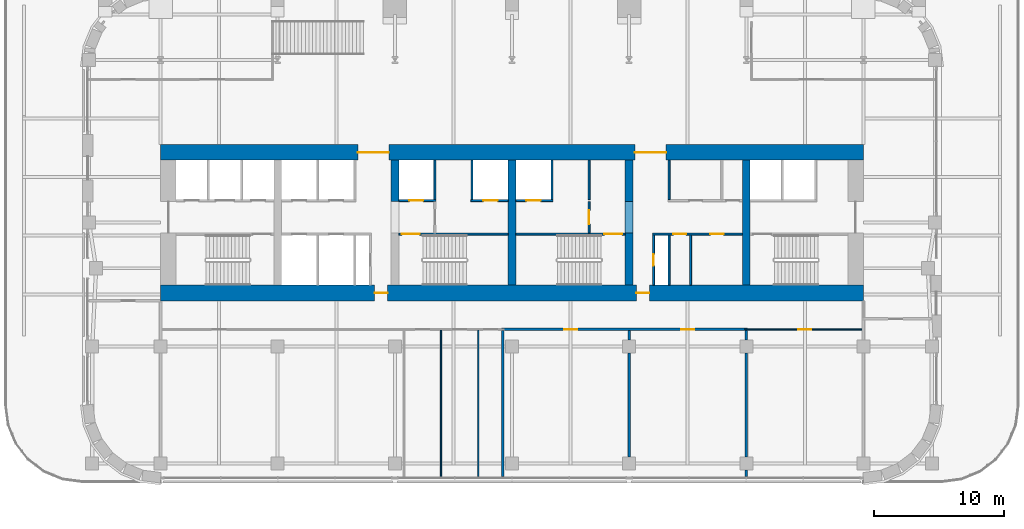
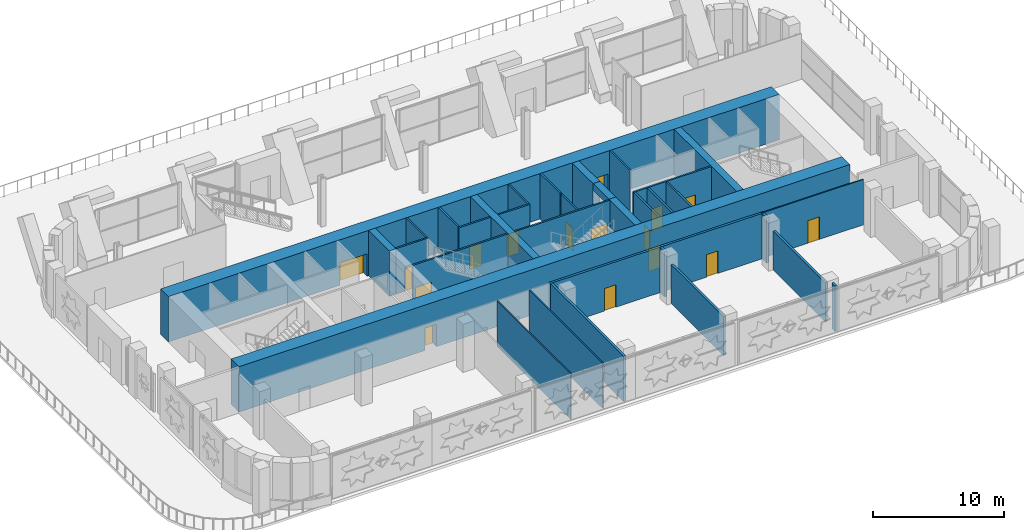
# One storey, part 15 of 26: 33 walls, 16 doors, 16 openings.
"""IFC4 building model written with IfcOpenShell, lengths in metres."""

from ifc_helpers import new_model, si_unit, direction, frame, frame_2d, origin, place, context, subcontext, project, spatial, rectangle, extrude, material, layer, layer_set, type_object, element, fill, save


model = new_model("IFC4")

# Units and contexts
model_context = context("Model", 3, precision=1e-05, world=origin(), true_north=direction((0.0, 1.0)))
body_context = subcontext(model_context, "Body", "Model", "MODEL_VIEW")
ifc_project = project(units=[si_unit("LENGTHUNIT", "METRE"), si_unit("AREAUNIT", "SQUARE_METRE"), si_unit("VOLUMEUNIT", "CUBIC_METRE"), si_unit("PLANEANGLEUNIT", "RADIAN"), si_unit("MASSUNIT", "GRAM", prefix="KILO")], contexts=[model_context])

# Site, building, storey
site_placement = place(None, origin())
site = spatial("IfcSite", under=ifc_project, at=site_placement, CompositionType="ELEMENT")
building_placement = place(site_placement, origin())
building = spatial("IfcBuilding", under=site, at=building_placement, Name="Zellij Exchange Tower", CompositionType="ELEMENT")
storey_placement = place(building_placement, frame((0.0, 0.0, 39.0)))
storey = spatial("IfcBuildingStorey", under=building, at=storey_placement, Name="L06", CompositionType="ELEMENT", Elevation=39.0)

# Walls
ifc_material_1 = material(Name="Concrete C70/85", Category="concrete")
ifc_layer_1 = layer(ifc_material_1, 0.60009765625)
ifc_layer_set_1 = layer_set([ifc_layer_1], Name="Concrete C70/85")
wall_type_1 = type_object("IfcWallType", Name="CORE-CW 600 C70/85", PredefinedType="SHEAR", material=ifc_layer_set_1)
wall_1_placement = place(storey_placement, frame((-9.0, -6.375, 0.0), z_axis=(0.0, 0.0, 1.0), x_axis=(0.0, 1.0, 0.0)))
element("IfcWall", 1, at=wall_1_placement, inside=storey, type_object=wall_type_1, Name="Core cross wall pier x -9 b L06", PredefinedType="SHEAR", context=body_context, shape_type="SweptSolid", body=[
    extrude(rectangle(XDim=3.175048828125, YDim=0.60009765625, at=frame_2d((1.58740234375, 0.0))), origin(), (0.0, 0.0, 1.0), 4.25),
])
wall_2_placement = place(storey_placement, frame((0.0, -12.800048828125, 0.0), z_axis=(0.0, 0.0, 1.0), x_axis=(0.0, 1.0, 0.0)))
element("IfcWall", 2, at=wall_2_placement, inside=storey, type_object=wall_type_1, Name="Core cross wall x 0 L06", PredefinedType="SHEAR", context=body_context, shape_type="SweptSolid", body=[
    extrude(rectangle(XDim=9.60009765625, YDim=0.60009765625, at=frame_2d((4.800048828125, 0.0))), origin(), (0.0, 0.0, 1.0), 4.25),
])
wall_3_placement = place(storey_placement, frame((9.0, -12.800048828125, 0.0), z_axis=(0.0, 0.0, 1.0), x_axis=(0.0, 1.0, 0.0)))
element("IfcWall", 3, at=wall_3_placement, inside=storey, type_object=wall_type_1, Name="Core cross wall pier x 9 a L06", PredefinedType="SHEAR", context=body_context, shape_type="SweptSolid", body=[
    extrude(rectangle(XDim=4.0, YDim=0.60009765625, at=frame_2d((2.0, 0.0))), origin(), (0.0, 0.0, 1.0), 4.25),
])
wall_4_placement = place(storey_placement, frame((9.0, -6.375, 0.0), z_axis=(0.0, 0.0, 1.0), x_axis=(0.0, 1.0, 0.0)))
element("IfcWall", 4, at=wall_4_placement, inside=storey, type_object=wall_type_1, Name="Core cross wall pier x 9 b L06", PredefinedType="SHEAR", context=body_context, shape_type="SweptSolid", body=[
    extrude(rectangle(XDim=3.175048828125, YDim=0.60009765625, at=frame_2d((1.58740234375, 0.0))), origin(), (0.0, 0.0, 1.0), 4.25),
])
wall_5_placement = place(storey_placement, frame((9.0, -8.800048828125, 3.60009765625), z_axis=(0.0, 0.0, 1.0), x_axis=(0.0, 1.0, 0.0)))
element("IfcWall", 5, at=wall_5_placement, inside=storey, type_object=wall_type_1, Name="Core cross wall over opening x 9 L06", PredefinedType="SHEAR", context=body_context, shape_type="SweptSolid", body=[
    extrude(rectangle(XDim=2.425048828125, YDim=0.60009765625, at=frame_2d((1.21240234375, 0.0))), origin(), (0.0, 0.0, 1.0), 0.64990234375),
])
wall_6_placement = place(storey_placement, frame((18.0, -12.800048828125, 0.0), z_axis=(0.0, 0.0, 1.0), x_axis=(0.0, 1.0, 0.0)))
element("IfcWall", 6, at=wall_6_placement, inside=storey, type_object=wall_type_1, Name="Core cross wall x 18 L06", PredefinedType="SHEAR", context=body_context, shape_type="SweptSolid", body=[
    extrude(rectangle(XDim=9.60009765625, YDim=0.60009765625, at=frame_2d((4.800048828125, 0.0))), origin(), (0.0, 0.0, 1.0), 4.25),
])

# Wall, opening, door
ifc_material_2 = material(Name="Gypsum shaft wall system")
ifc_layer_2 = layer(ifc_material_2, 0.14990234375)
ifc_layer_set_2 = layer_set([ifc_layer_2], Name="Gypsum shaft wall system")
wall_type_2 = type_object("IfcWallType", Name="CORE-PW 150 Firefighting lobby wall", PredefinedType="PARTITIONING", material=ifc_layer_set_2)
wall_7_placement = place(storey_placement, frame((5.925048828125, -8.800048828125, 0.0), z_axis=(0.0, 0.0, 1.0), x_axis=(0.0, 1.0, 0.0)))
wall_7 = element("IfcWall", 7, at=wall_7_placement, inside=storey, type_object=wall_type_2, Name="Firefighting lobby wall L06", PredefinedType="PARTITIONING", context=body_context, shape_type="SweptSolid", body=[
    extrude(rectangle(XDim=2.425048828125, YDim=0.14990234375, at=frame_2d((1.21240234375, 0.0))), origin(), (0.0, 0.0, 1.0), 4.25),
])
opening_1_placement = place(wall_7_placement, frame((0.662109375, 0.0, 0.0)))
opening_1 = element("IfcOpeningElement", 8, at=opening_1_placement, cuts=wall_7, Name="Opening CA-06.18", PredefinedType="OPENING", context=body_context, shape_type="SweptSolid", body=[
    extrude(rectangle(XDim=1.10009765625, YDim=2.10009765625, at=frame_2d((0.550048828125, 1.050048828125))), frame((0.0, 0.0869140625, 0.0), z_axis=(0.0, -1.0, 0.0), x_axis=(1.0, 0.0, 0.0)), (0.0, 0.0, 1.0), 0.173828125),
])
ifc_material_3 = material(Name="Hollow metal fire door")
door_type_1 = type_object("IfcDoorType", Name="CORE-D F Firefighting lobby door 1100x2100 1 HR", OperationType="NOTDEFINED", PredefinedType="DOOR", material=ifc_material_3)
door_1_placement = place(opening_1_placement, origin())
door_1 = element("IfcDoor", 9, at=door_1_placement, inside=storey, type_object=door_type_1, Name="Firefighting lobby door CA-06.18", OperationType="SINGLE_SWING_RIGHT", OverallHeight=2.10009765625, OverallWidth=1.10009765625, PredefinedType="DOOR", context=body_context, shape_type="SweptSolid", body=[
    extrude(rectangle(XDim=1.10009765625, YDim=2.10009765625, at=frame_2d((0.550048828125, 1.050048828125))), frame((0.0, 0.02490234375, 0.0), z_axis=(0.0, -1.0, 0.0), x_axis=(1.0, 0.0, 0.0)), (0.0, 0.0, 1.0), 0.050048828125),
])
fill(opening_1, door_1)

# Walls
ifc_material_4 = material(Name="Gypsum board partition")
ifc_layer_3 = layer(ifc_material_4, 0.14990234375)
ifc_layer_set_3 = layer_set([ifc_layer_3], Name="Gypsum board partition")
wall_type_3 = type_object("IfcWallType", Name="CORE-PW 150 Lift lobby wall", PredefinedType="PARTITIONING", material=ifc_layer_set_3)
for number, where, z_axis, x_axis, name in (
    (10, (5.925048828125, -6.22509765625, 0.0), (0.0, 0.0, 1.0), (0.0, 1.0, 0.0), "Lift lobby wall L06"),
    (11, (12.074951171875, -6.22509765625, 0.0), (0.0, 0.0, 1.0), (0.0, 1.0, 0.0), "Lift lobby wall L06"),
):
    element("IfcWall", number, at=place(storey_placement, frame(where, z_axis=z_axis, x_axis=x_axis)), inside=storey, type_object=wall_type_3, Name=name, PredefinedType="PARTITIONING", context=body_context, shape_type="SweptSolid", body=[
        extrude(rectangle(XDim=3.025146484375, YDim=0.14990234375, at=frame_2d((1.5126953125, 0.0))), origin(), (0.0, 0.0, 1.0), 4.25),
    ])

# Wall, opening, door
wall_8_placement = place(storey_placement, frame((10.875, -12.800048828125, 0.0), z_axis=(0.0, 0.0, 1.0), x_axis=(0.0, 1.0, 0.0)))
wall_8 = element("IfcWall", 12, at=wall_8_placement, inside=storey, type_object=wall_type_3, Name="Lift lobby wall L06", PredefinedType="PARTITIONING", context=body_context, shape_type="SweptSolid", body=[
    extrude(rectangle(XDim=3.85009765625, YDim=0.14990234375, at=frame_2d((1.925048828125, 0.0))), origin(), (0.0, 0.0, 1.0), 4.25),
])
opening_2_placement = place(wall_8_placement, frame((1.47509765625, 0.0, 0.0)))
opening_2 = element("IfcOpeningElement", 13, at=opening_2_placement, cuts=wall_8, Name="Opening CA-06.22", PredefinedType="OPENING", context=body_context, shape_type="SweptSolid", body=[
    extrude(rectangle(XDim=0.89990234375, YDim=2.10009765625, at=frame_2d((0.449951171875, 1.050048828125))), frame((0.0, 0.0869140625, 0.0), z_axis=(0.0, -1.0, 0.0), x_axis=(1.0, 0.0, 0.0)), (0.0, 0.0, 1.0), 0.173828125),
])
door_type_2 = type_object("IfcDoorType", Name="CORE-D RD Riser door 900x2100 1.5 HR", OperationType="NOTDEFINED", PredefinedType="DOOR", material=ifc_material_3)
door_2_placement = place(opening_2_placement, origin())
door_2 = element("IfcDoor", 14, at=door_2_placement, inside=storey, type_object=door_type_2, Name="Riser door CA-06.22", OperationType="SINGLE_SWING_LEFT", OverallHeight=2.10009765625, OverallWidth=0.89990234375, PredefinedType="DOOR", context=body_context, shape_type="SweptSolid", body=[
    extrude(rectangle(XDim=0.89990234375, YDim=2.10009765625, at=frame_2d((0.449951171875, 1.050048828125))), frame((0.0, 0.02490234375, 0.0), z_axis=(0.0, -1.0, 0.0), x_axis=(1.0, 0.0, 0.0)), (0.0, 0.0, 1.0), 0.050048828125),
])
fill(opening_2, door_2)

# Walls
for number, where, z_axis, x_axis, name in (
    (15, (12.074951171875, -12.800048828125, 0.0), (0.0, 0.0, 1.0), (0.0, 1.0, 0.0), "Lift lobby wall L06"),
    (16, (13.72509765625, -12.800048828125, 0.0), (0.0, 0.0, 1.0), (0.0, 1.0, 0.0), "Lift lobby wall L06"),
):
    element("IfcWall", number, at=place(storey_placement, frame(where, z_axis=z_axis, x_axis=x_axis)), inside=storey, type_object=wall_type_3, Name=name, PredefinedType="PARTITIONING", context=body_context, shape_type="SweptSolid", body=[
        extrude(rectangle(XDim=3.85009765625, YDim=0.14990234375, at=frame_2d((1.925048828125, 0.0))), origin(), (0.0, 0.0, 1.0), 4.25),
    ])

# Wall, openings, doors
wall_9_placement = place(storey_placement, frame((10.800048828125, -8.875, 0.0), z_axis=(0.0, 0.0, 1.0), x_axis=(1.0, 0.0, 0.0)))
wall_9 = element("IfcWall", 17, at=wall_9_placement, inside=storey, type_object=wall_type_3, Name="Lift lobby wall L06", PredefinedType="PARTITIONING", context=body_context, shape_type="SweptSolid", body=[
    extrude(rectangle(XDim=6.89990234375, YDim=0.14990234375, at=frame_2d((3.449951171875, 0.0))), origin(), (0.0, 0.0, 1.0), 4.25),
])
opening_3_placement = place(wall_9_placement, frame((1.60009765625, 0.0, 0.0)))
opening_3 = element("IfcOpeningElement", 18, at=opening_3_placement, cuts=wall_9, Name="Opening CA-06.23", PredefinedType="OPENING", context=body_context, shape_type="SweptSolid", body=[
    extrude(rectangle(XDim=1.0, YDim=2.10009765625, at=frame_2d((0.5, 1.050048828125))), frame((0.0, 0.0869140625, 0.0), z_axis=(0.0, -1.0, 0.0), x_axis=(1.0, 0.0, 0.0)), (0.0, 0.0, 1.0), 0.173828125),
])
opening_4_placement = place(wall_9_placement, frame((4.449951171875, 0.0, 0.0)))
opening_4 = element("IfcOpeningElement", 19, at=opening_4_placement, cuts=wall_9, Name="Opening CA-06.25", PredefinedType="OPENING", context=body_context, shape_type="SweptSolid", body=[
    extrude(rectangle(XDim=1.0, YDim=2.10009765625, at=frame_2d((0.5, 1.050048828125))), frame((0.0, 0.0869140625, 0.0), z_axis=(0.0, -1.0, 0.0), x_axis=(1.0, 0.0, 0.0)), (0.0, 0.0, 1.0), 0.173828125),
])
door_type_3 = type_object("IfcDoorType", Name="CORE-D CD Core room door 1000x2100 1 HR", OperationType="NOTDEFINED", PredefinedType="DOOR", material=ifc_material_3)
door_3_placement = place(opening_3_placement, origin())
door_3 = element("IfcDoor", 20, at=door_3_placement, inside=storey, type_object=door_type_3, Name="Core room door CA-06.23", OperationType="SINGLE_SWING_RIGHT", OverallHeight=2.10009765625, OverallWidth=1.0, PredefinedType="DOOR", context=body_context, shape_type="SweptSolid", body=[
    extrude(rectangle(XDim=1.0, YDim=2.10009765625, at=frame_2d((0.5, 1.050048828125))), frame((0.0, 0.02490234375, 0.0), z_axis=(0.0, -1.0, 0.0), x_axis=(1.0, 0.0, 0.0)), (0.0, 0.0, 1.0), 0.050048828125),
])
fill(opening_3, door_3)
door_4_placement = place(opening_4_placement, origin())
door_4 = element("IfcDoor", 21, at=door_4_placement, inside=storey, type_object=door_type_3, Name="Core room door CA-06.25", OperationType="SINGLE_SWING_LEFT", OverallHeight=2.10009765625, OverallWidth=1.0, PredefinedType="DOOR", context=body_context, shape_type="SweptSolid", body=[
    extrude(rectangle(XDim=1.0, YDim=2.10009765625, at=frame_2d((0.5, 1.050048828125))), frame((0.0, 0.02490234375, 0.0), z_axis=(0.0, -1.0, 0.0), x_axis=(1.0, 0.0, 0.0)), (0.0, 0.0, 1.0), 0.050048828125),
])
fill(opening_4, door_4)

# Walls
ifc_layer_4 = layer(ifc_material_2, 0.14990234375)
ifc_layer_set_4 = layer_set([ifc_layer_4], Name="Gypsum shaft wall system")
wall_type_4 = type_object("IfcWallType", Name="CORE-PW 150 Lift shaft wall", PredefinedType="PARTITIONING", material=ifc_layer_set_4)
for number, where, z_axis, x_axis, name in (
    (22, (-3.074951171875, -6.22509765625, 0.0), (0.0, 0.0, 1.0), (0.0, 1.0, 0.0), "Lift shaft wall L06"),
    (23, (-5.925048828125, -6.22509765625, 0.0), (0.0, 0.0, 1.0), (0.0, 1.0, 0.0), "Lift shaft wall L06"),
    (24, (3.074951171875, -6.22509765625, 0.0), (0.0, 0.0, 1.0), (0.0, 1.0, 0.0), "Lift shaft wall L06"),
):
    element("IfcWall", number, at=place(storey_placement, frame(where, z_axis=z_axis, x_axis=x_axis)), inside=storey, type_object=wall_type_4, Name=name, PredefinedType="PARTITIONING", context=body_context, shape_type="SweptSolid", body=[
        extrude(rectangle(XDim=3.025146484375, YDim=0.14990234375, at=frame_2d((1.5126953125, 0.0))), origin(), (0.0, 0.0, 1.0), 4.25),
    ])

# Wall, opening, door
wall_10_placement = place(storey_placement, frame((-8.699951171875, -6.300048828125, 0.0), z_axis=(0.0, 0.0, 1.0), x_axis=(1.0, 0.0, 0.0)))
wall_10 = element("IfcWall", 25, at=wall_10_placement, inside=storey, type_object=wall_type_4, Name="Lift shaft wall L06", PredefinedType="PARTITIONING", context=body_context, shape_type="SweptSolid", body=[
    extrude(rectangle(XDim=2.849853515625, YDim=0.14990234375, at=frame_2d((1.4248046875, 0.0))), origin(), (0.0, 0.0, 1.0), 4.25),
])
opening_5_placement = place(wall_10_placement, frame((0.800048828125, 0.0, 0.0)))
opening_5 = element("IfcOpeningElement", 26, at=opening_5_placement, cuts=wall_10, Name="Opening CA-06.14", PredefinedType="OPENING", context=body_context, shape_type="SweptSolid", body=[
    extrude(rectangle(XDim=1.10009765625, YDim=2.10009765625, at=frame_2d((0.550048828125, 1.050048828125))), frame((0.0, 0.0869140625, 0.0), z_axis=(0.0, -1.0, 0.0), x_axis=(1.0, 0.0, 0.0)), (0.0, 0.0, 1.0), 0.173828125),
])
door_type_4 = type_object("IfcDoorType", Name="CORE-D LD Lift landing door 1100x2100 1.5 HR", OperationType="NOTDEFINED", PredefinedType="DOOR", material=ifc_material_3)
door_5_placement = place(opening_5_placement, origin())
door_5 = element("IfcDoor", 27, at=door_5_placement, inside=storey, type_object=door_type_4, Name="Lift landing door CA-06.14", OperationType="SLIDING_TO_RIGHT", OverallHeight=2.10009765625, OverallWidth=1.10009765625, PredefinedType="DOOR", context=body_context, shape_type="SweptSolid", body=[
    extrude(rectangle(XDim=1.10009765625, YDim=2.10009765625, at=frame_2d((0.550048828125, 1.050048828125))), frame((0.0, 0.02490234375, 0.0), z_axis=(0.0, -1.0, 0.0), x_axis=(1.0, 0.0, 0.0)), (0.0, 0.0, 1.0), 0.050048828125),
])
fill(opening_5, door_5)

wall_11_placement = place(storey_placement, frame((-3.14990234375, -6.300048828125, 0.0), z_axis=(0.0, 0.0, 1.0), x_axis=(1.0, 0.0, 0.0)))
wall_11 = element("IfcWall", 28, at=wall_11_placement, inside=storey, type_object=wall_type_4, Name="Lift shaft wall L06", PredefinedType="PARTITIONING", context=body_context, shape_type="SweptSolid", body=[
    extrude(rectangle(XDim=2.849853515625, YDim=0.14990234375, at=frame_2d((1.4248046875, 0.0))), origin(), (0.0, 0.0, 1.0), 4.25),
])
opening_6_placement = place(wall_11_placement, frame((0.949951171875, 0.0, 0.0)))
opening_6 = element("IfcOpeningElement", 29, at=opening_6_placement, cuts=wall_11, Name="Opening CA-06.16", PredefinedType="OPENING", context=body_context, shape_type="SweptSolid", body=[
    extrude(rectangle(XDim=1.10009765625, YDim=2.10009765625, at=frame_2d((0.550048828125, 1.050048828125))), frame((0.0, 0.0869140625, 0.0), z_axis=(0.0, -1.0, 0.0), x_axis=(1.0, 0.0, 0.0)), (0.0, 0.0, 1.0), 0.173828125),
])
door_6_placement = place(opening_6_placement, origin())
door_6 = element("IfcDoor", 30, at=door_6_placement, inside=storey, type_object=door_type_4, Name="Lift landing door CA-06.16", OperationType="SLIDING_TO_RIGHT", OverallHeight=2.10009765625, OverallWidth=1.10009765625, PredefinedType="DOOR", context=body_context, shape_type="SweptSolid", body=[
    extrude(rectangle(XDim=1.10009765625, YDim=2.10009765625, at=frame_2d((0.550048828125, 1.050048828125))), frame((0.0, 0.02490234375, 0.0), z_axis=(0.0, -1.0, 0.0), x_axis=(1.0, 0.0, 0.0)), (0.0, 0.0, 1.0), 0.050048828125),
])
fill(opening_6, door_6)

wall_12_placement = place(storey_placement, frame((0.300048828125, -6.300048828125, 0.0), z_axis=(0.0, 0.0, 1.0), x_axis=(1.0, 0.0, 0.0)))
wall_12 = element("IfcWall", 31, at=wall_12_placement, inside=storey, type_object=wall_type_4, Name="Lift shaft wall L06", PredefinedType="PARTITIONING", context=body_context, shape_type="SweptSolid", body=[
    extrude(rectangle(XDim=2.849853515625, YDim=0.14990234375, at=frame_2d((1.4248046875, 0.0))), origin(), (0.0, 0.0, 1.0), 4.25),
])
opening_7_placement = place(wall_12_placement, frame((0.800048828125, 0.0, 0.0)))
opening_7 = element("IfcOpeningElement", 32, at=opening_7_placement, cuts=wall_12, Name="Opening CA-06.17", PredefinedType="OPENING", context=body_context, shape_type="SweptSolid", body=[
    extrude(rectangle(XDim=1.10009765625, YDim=2.10009765625, at=frame_2d((0.550048828125, 1.050048828125))), frame((0.0, 0.0869140625, 0.0), z_axis=(0.0, -1.0, 0.0), x_axis=(1.0, 0.0, 0.0)), (0.0, 0.0, 1.0), 0.173828125),
])
door_7_placement = place(opening_7_placement, origin())
door_7 = element("IfcDoor", 33, at=door_7_placement, inside=storey, type_object=door_type_4, Name="Lift landing door CA-06.17", OperationType="SLIDING_TO_LEFT", OverallHeight=2.10009765625, OverallWidth=1.10009765625, PredefinedType="DOOR", context=body_context, shape_type="SweptSolid", body=[
    extrude(rectangle(XDim=1.10009765625, YDim=2.10009765625, at=frame_2d((0.550048828125, 1.050048828125))), frame((0.0, 0.02490234375, 0.0), z_axis=(0.0, -1.0, 0.0), x_axis=(1.0, 0.0, 0.0)), (0.0, 0.0, 1.0), 0.050048828125),
])
fill(opening_7, door_7)

# Wall, openings, doors
ifc_layer_5 = layer(ifc_material_1, 1.199951171875)
ifc_layer_set_5 = layer_set([ifc_layer_5], Name="Concrete C70/85")
wall_type_5 = type_object("IfcWallType", Name="CORE-SW 1200 C70/85", PredefinedType="SHEAR", material=ifc_layer_set_5)
wall_13_placement = place(storey_placement, frame((-27.0, -2.60009765625, 0.0), z_axis=(0.0, 0.0, 1.0), x_axis=(1.0, 0.0, 0.0)))
wall_13 = element("IfcWall", 34, at=wall_13_placement, inside=storey, type_object=wall_type_5, Name="Core shear wall front L06", PredefinedType="SHEAR", context=body_context, shape_type="SweptSolid", body=[
    extrude(rectangle(XDim=54.0, YDim=1.199951171875, at=frame_2d((27.0, 0.0))), origin(), (0.0, 0.0, 1.0), 4.25),
])
opening_8_placement = place(wall_13_placement, frame((15.14990234375, 0.0, 0.0)))
opening_8 = element("IfcOpeningElement", 35, at=opening_8_placement, cuts=wall_13, Name="Opening CA-06.11", PredefinedType="OPENING", context=body_context, shape_type="SweptSolid", body=[
    extrude(rectangle(XDim=2.39990234375, YDim=2.10009765625, at=frame_2d((1.199951171875, 1.050048828125))), frame((0.0, 0.61181640625, 0.0), z_axis=(0.0, -1.0, 0.0), x_axis=(1.0, 0.0, 0.0)), (0.0, 0.0, 1.0), 1.223876953125),
])
opening_9_placement = place(wall_13_placement, frame((36.449951171875, 0.0, 0.0)))
opening_9 = element("IfcOpeningElement", 36, at=opening_9_placement, cuts=wall_13, Name="Opening CA-06.21", PredefinedType="OPENING", context=body_context, shape_type="SweptSolid", body=[
    extrude(rectangle(XDim=2.39990234375, YDim=2.10009765625, at=frame_2d((1.199951171875, 1.050048828125))), frame((0.0, 0.61181640625, 0.0), z_axis=(0.0, -1.0, 0.0), x_axis=(1.0, 0.0, 0.0)), (0.0, 0.0, 1.0), 1.223876953125),
])
door_type_5 = type_object("IfcDoorType", Name="CORE-D CE Core entrance door 2400x2100 20 MIN", OperationType="NOTDEFINED", PredefinedType="DOOR", material=ifc_material_3)
door_8_placement = place(opening_8_placement, origin())
door_8 = element("IfcDoor", 37, at=door_8_placement, inside=storey, type_object=door_type_5, Name="Core entrance door CA-06.11", OperationType="DOUBLE_DOOR_SINGLE_SWING", OverallHeight=2.10009765625, OverallWidth=2.39990234375, PredefinedType="DOOR", context=body_context, shape_type="SweptSolid", body=[
    extrude(rectangle(XDim=2.39990234375, YDim=2.10009765625, at=frame_2d((1.199951171875, 1.050048828125))), frame((0.0, 0.02490234375, 0.0), z_axis=(0.0, -1.0, 0.0), x_axis=(1.0, 0.0, 0.0)), (0.0, 0.0, 1.0), 0.050048828125),
])
fill(opening_8, door_8)
door_9_placement = place(opening_9_placement, origin())
door_9 = element("IfcDoor", 38, at=door_9_placement, inside=storey, type_object=door_type_5, Name="Core entrance door CA-06.21", OperationType="DOUBLE_DOOR_SINGLE_SWING", OverallHeight=2.10009765625, OverallWidth=2.39990234375, PredefinedType="DOOR", context=body_context, shape_type="SweptSolid", body=[
    extrude(rectangle(XDim=2.39990234375, YDim=2.10009765625, at=frame_2d((1.199951171875, 1.050048828125))), frame((0.0, 0.02490234375, 0.0), z_axis=(0.0, -1.0, 0.0), x_axis=(1.0, 0.0, 0.0)), (0.0, 0.0, 1.0), 0.050048828125),
])
fill(opening_9, door_9)

wall_14_placement = place(storey_placement, frame((-27.0, -13.39990234375, 0.0), z_axis=(0.0, 0.0, 1.0), x_axis=(1.0, 0.0, 0.0)))
wall_14 = element("IfcWall", 39, at=wall_14_placement, inside=storey, type_object=wall_type_5, Name="Core shear wall rear L06", PredefinedType="SHEAR", context=body_context, shape_type="SweptSolid", body=[
    extrude(rectangle(XDim=54.0, YDim=1.199951171875, at=frame_2d((27.0, 0.0))), origin(), (0.0, 0.0, 1.0), 4.25),
])
opening_10_placement = place(wall_14_placement, frame((16.449951171875, 0.0, 0.0)))
opening_10 = element("IfcOpeningElement", 40, at=opening_10_placement, cuts=wall_14, Name="Opening CA-06.12", PredefinedType="OPENING", context=body_context, shape_type="SweptSolid", body=[
    extrude(rectangle(XDim=1.0, YDim=2.10009765625, at=frame_2d((0.5, 1.050048828125))), frame((0.0, 0.61181640625, 0.0), z_axis=(0.0, -1.0, 0.0), x_axis=(1.0, 0.0, 0.0)), (0.0, 0.0, 1.0), 1.223876953125),
])
opening_11_placement = place(wall_14_placement, frame((36.550048828125, 0.0, 0.0)))
opening_11 = element("IfcOpeningElement", 41, at=opening_11_placement, cuts=wall_14, Name="Opening CA-06.20", PredefinedType="OPENING", context=body_context, shape_type="SweptSolid", body=[
    extrude(rectangle(XDim=1.0, YDim=2.10009765625, at=frame_2d((0.5, 1.050048828125))), frame((0.0, 0.61181640625, 0.0), z_axis=(0.0, -1.0, 0.0), x_axis=(1.0, 0.0, 0.0)), (0.0, 0.0, 1.0), 1.223876953125),
])
door_type_6 = type_object("IfcDoorType", Name="CORE-D CR Core rear door 1000x2100 20 MIN", OperationType="NOTDEFINED", PredefinedType="DOOR", material=ifc_material_3)
door_10_placement = place(opening_10_placement, origin())
door_10 = element("IfcDoor", 42, at=door_10_placement, inside=storey, type_object=door_type_6, Name="Core rear door CA-06.12", OperationType="SINGLE_SWING_RIGHT", OverallHeight=2.10009765625, OverallWidth=1.0, PredefinedType="DOOR", context=body_context, shape_type="SweptSolid", body=[
    extrude(rectangle(XDim=1.0, YDim=2.10009765625, at=frame_2d((0.5, 1.050048828125))), frame((0.0, 0.02490234375, 0.0), z_axis=(0.0, -1.0, 0.0), x_axis=(1.0, 0.0, 0.0)), (0.0, 0.0, 1.0), 0.050048828125),
])
fill(opening_10, door_10)
door_11_placement = place(opening_11_placement, origin())
door_11 = element("IfcDoor", 43, at=door_11_placement, inside=storey, type_object=door_type_6, Name="Core rear door CA-06.20", OperationType="SINGLE_SWING_LEFT", OverallHeight=2.10009765625, OverallWidth=1.0, PredefinedType="DOOR", context=body_context, shape_type="SweptSolid", body=[
    extrude(rectangle(XDim=1.0, YDim=2.10009765625, at=frame_2d((0.5, 1.050048828125))), frame((0.0, 0.02490234375, 0.0), z_axis=(0.0, -1.0, 0.0), x_axis=(1.0, 0.0, 0.0)), (0.0, 0.0, 1.0), 0.050048828125),
])
fill(opening_11, door_11)

# Wall, opening, door
ifc_layer_6 = layer(ifc_material_1, 0.14990234375)
ifc_layer_set_6 = layer_set([ifc_layer_6], Name="Concrete C70/85")
wall_type_6 = type_object("IfcWallType", Name="CORE-SWS 150 C70/85", PredefinedType="SHEAR", material=ifc_layer_set_6)
wall_15_placement = place(storey_placement, frame((-8.699951171875, -8.875, 0.0), z_axis=(0.0, 0.0, 1.0), x_axis=(1.0, 0.0, 0.0)))
wall_15 = element("IfcWall", 44, at=wall_15_placement, inside=storey, type_object=wall_type_6, Name="Stair enclosure wall L06", PredefinedType="SHEAR", context=body_context, shape_type="SweptSolid", body=[
    extrude(rectangle(XDim=8.39990234375, YDim=0.14990234375, at=frame_2d((4.199951171875, 0.0))), origin(), (0.0, 0.0, 1.0), 4.25),
])
opening_12_placement = place(wall_15_placement, frame((0.22509765625, 0.0, 0.0)))
opening_12 = element("IfcOpeningElement", 45, at=opening_12_placement, cuts=wall_15, Name="Opening CA-06.13", PredefinedType="OPENING", context=body_context, shape_type="SweptSolid", body=[
    extrude(rectangle(XDim=1.39990234375, YDim=2.10009765625, at=frame_2d((0.699951171875, 1.050048828125))), frame((0.0, 0.0869140625, 0.0), z_axis=(0.0, -1.0, 0.0), x_axis=(1.0, 0.0, 0.0)), (0.0, 0.0, 1.0), 0.173828125),
])
door_type_7 = type_object("IfcDoorType", Name="CORE-D SD Stair door 1400x2100 1.5 HR", OperationType="NOTDEFINED", PredefinedType="DOOR", material=ifc_material_3)
door_12_placement = place(opening_12_placement, origin())
door_12 = element("IfcDoor", 46, at=door_12_placement, inside=storey, type_object=door_type_7, Name="Stair door CA-06.13", OperationType="DOUBLE_DOOR_SINGLE_SWING", OverallHeight=2.10009765625, OverallWidth=1.39990234375, PredefinedType="DOOR", context=body_context, shape_type="SweptSolid", body=[
    extrude(rectangle(XDim=1.39990234375, YDim=2.10009765625, at=frame_2d((0.699951171875, 1.050048828125))), frame((0.0, 0.02490234375, 0.0), z_axis=(0.0, -1.0, 0.0), x_axis=(1.0, 0.0, 0.0)), (0.0, 0.0, 1.0), 0.050048828125),
])
fill(opening_12, door_12)

wall_16_placement = place(storey_placement, frame((0.300048828125, -8.875, 0.0), z_axis=(0.0, 0.0, 1.0), x_axis=(1.0, 0.0, 0.0)))
wall_16 = element("IfcWall", 47, at=wall_16_placement, inside=storey, type_object=wall_type_6, Name="Stair enclosure wall L06", PredefinedType="SHEAR", context=body_context, shape_type="SweptSolid", body=[
    extrude(rectangle(XDim=8.39990234375, YDim=0.14990234375, at=frame_2d((4.199951171875, 0.0))), origin(), (0.0, 0.0, 1.0), 4.25),
])
opening_13_placement = place(wall_16_placement, frame((6.77490234375, 0.0, 0.0)))
opening_13 = element("IfcOpeningElement", 48, at=opening_13_placement, cuts=wall_16, Name="Opening CA-06.19", PredefinedType="OPENING", context=body_context, shape_type="SweptSolid", body=[
    extrude(rectangle(XDim=1.39990234375, YDim=2.10009765625, at=frame_2d((0.699951171875, 1.050048828125))), frame((0.0, 0.0869140625, 0.0), z_axis=(0.0, -1.0, 0.0), x_axis=(1.0, 0.0, 0.0)), (0.0, 0.0, 1.0), 0.173828125),
])
door_13_placement = place(opening_13_placement, origin())
door_13 = element("IfcDoor", 49, at=door_13_placement, inside=storey, type_object=door_type_7, Name="Stair door CA-06.19", OperationType="DOUBLE_DOOR_SINGLE_SWING", OverallHeight=2.10009765625, OverallWidth=1.39990234375, PredefinedType="DOOR", context=body_context, shape_type="SweptSolid", body=[
    extrude(rectangle(XDim=1.39990234375, YDim=2.10009765625, at=frame_2d((0.699951171875, 1.050048828125))), frame((0.0, 0.02490234375, 0.0), z_axis=(0.0, -1.0, 0.0), x_axis=(1.0, 0.0, 0.0)), (0.0, 0.0, 1.0), 0.050048828125),
])
fill(opening_13, door_13)

# Walls
ifc_material_5 = material(Name="Blockwork partition", Category="masonry")
ifc_layer_7 = layer(ifc_material_5, 0.199951171875)
ifc_layer_set_7 = layer_set([ifc_layer_7], Name="Blockwork partition")
wall_type_7 = type_object("IfcWallType", Name="FIT-BLOCKWORK-200", PredefinedType="PARTITIONING", material=ifc_layer_set_7)
wall_17_placement = place(storey_placement, frame((-0.699951171875, -27.51611328125, 0.0), z_axis=(0.0, 0.0, 1.0), x_axis=(0.0, 1.0, 0.0)))
element("IfcWall", 50, at=wall_17_placement, inside=storey, type_object=wall_type_7, Name="FIT-BLOCKWORK-200 004", PredefinedType="PARTITIONING", context=body_context, shape_type="SweptSolid", body=[
    extrude(rectangle(XDim=11.216064453125, YDim=0.199951171875, at=frame_2d((5.60791015625, 0.0))), origin(), (0.0, 0.0, 1.0), 4.25),
])
wall_18_placement = place(storey_placement, frame((18.0, -27.5, 0.0), z_axis=(0.0, 0.0, 1.0), x_axis=(0.0, 1.0, 0.0)))
element("IfcWall", 51, at=wall_18_placement, inside=storey, type_object=wall_type_7, Name="FIT-BLOCKWORK-200 005", PredefinedType="PARTITIONING", context=body_context, shape_type="SweptSolid", body=[
    extrude(rectangle(XDim=0.5, YDim=0.199951171875, at=frame_2d((0.25, 0.0))), origin(), (0.0, 0.0, 1.0), 4.25),
])
wall_19_placement = place(storey_placement, frame((18.0, -26.0, 0.0), z_axis=(0.0, 0.0, 1.0), x_axis=(0.0, 1.0, 0.0)))
element("IfcWall", 52, at=wall_19_placement, inside=storey, type_object=wall_type_7, Name="FIT-BLOCKWORK-200 006", PredefinedType="PARTITIONING", context=body_context, shape_type="SweptSolid", body=[
    extrude(rectangle(XDim=8.0, YDim=0.199951171875, at=frame_2d((4.0, 0.0))), origin(), (0.0, 0.0, 1.0), 3.637939453125),
])
wall_20_placement = place(storey_placement, frame((18.0, -17.0, 0.0), z_axis=(0.0, 0.0, 1.0), x_axis=(0.0, 1.0, 0.0)))
element("IfcWall", 53, at=wall_20_placement, inside=storey, type_object=wall_type_7, Name="FIT-BLOCKWORK-200 007", PredefinedType="PARTITIONING", context=body_context, shape_type="SweptSolid", body=[
    extrude(rectangle(XDim=0.699951171875, YDim=0.199951171875, at=frame_2d((0.35009765625, 0.0))), origin(), (0.0, 0.0, 1.0), 4.25),
])
wall_21_placement = place(storey_placement, frame((9.0, -26.0, 0.0), z_axis=(0.0, 0.0, 1.0), x_axis=(0.0, 1.0, 0.0)))
element("IfcWall", 54, at=wall_21_placement, inside=storey, type_object=wall_type_7, Name="FIT-BLOCKWORK-200 008", PredefinedType="PARTITIONING", context=body_context, shape_type="SweptSolid", body=[
    extrude(rectangle(XDim=8.0, YDim=0.199951171875, at=frame_2d((4.0, 0.0))), origin(), (0.0, 0.0, 1.0), 3.637939453125),
])
wall_22_placement = place(storey_placement, frame((9.0, -17.0, 0.0), z_axis=(0.0, 0.0, 1.0), x_axis=(0.0, 1.0, 0.0)))
element("IfcWall", 55, at=wall_22_placement, inside=storey, type_object=wall_type_7, Name="FIT-BLOCKWORK-200 009", PredefinedType="PARTITIONING", context=body_context, shape_type="SweptSolid", body=[
    extrude(rectangle(XDim=0.699951171875, YDim=0.199951171875, at=frame_2d((0.35009765625, 0.0))), origin(), (0.0, 0.0, 1.0), 4.25),
])

# Wall, openings, doors
wall_23_placement = place(storey_placement, frame((-0.800048828125, -16.199951171875, 0.0), z_axis=(0.0, 0.0, 1.0), x_axis=(1.0, 0.0, 0.0)))
wall_23 = element("IfcWall", 56, at=wall_23_placement, inside=storey, type_object=wall_type_7, Name="FIT-BLOCKWORK-200 015", PredefinedType="PARTITIONING", context=body_context, shape_type="SweptSolid", body=[
    extrude(rectangle(XDim=18.900146484375, YDim=0.199951171875, at=frame_2d((9.4501953125, 0.0))), origin(), (0.0, 0.0, 1.0), 4.25),
])
opening_14_placement = place(wall_23_placement, frame((4.800048828125, 0.0, 0.0)))
opening_14 = element("IfcOpeningElement", 57, at=opening_14_placement, cuts=wall_23, Name="Opening G6.05", PredefinedType="OPENING", context=body_context, shape_type="SweptSolid", body=[
    extrude(rectangle(XDim=1.0, YDim=2.10009765625, at=frame_2d((0.5, 1.050048828125))), frame((0.0, 0.11181640625, 0.0), z_axis=(0.0, -1.0, 0.0), x_axis=(1.0, 0.0, 0.0)), (0.0, 0.0, 1.0), 0.223876953125),
])
opening_15_placement = place(wall_23_placement, frame((13.800048828125, 0.0, 0.0)))
opening_15 = element("IfcOpeningElement", 58, at=opening_15_placement, cuts=wall_23, Name="Opening G6.06", PredefinedType="OPENING", context=body_context, shape_type="SweptSolid", body=[
    extrude(rectangle(XDim=1.0, YDim=2.10009765625, at=frame_2d((0.5, 1.050048828125))), frame((0.0, 0.11181640625, 0.0), z_axis=(0.0, -1.0, 0.0), x_axis=(1.0, 0.0, 0.0)), (0.0, 0.0, 1.0), 0.223876953125),
])
ifc_material_6 = material(Name="Timber door set", Category="wood")
door_type_8 = type_object("IfcDoorType", Name="FIT-D2-WIDE-1000X2100", OperationType="SINGLE_SWING_LEFT", PredefinedType="DOOR", material=ifc_material_6)
door_14_placement = place(opening_14_placement, origin())
door_14 = element("IfcDoor", 59, at=door_14_placement, inside=storey, type_object=door_type_8, Name="Door G6.05", OperationType="SINGLE_SWING_LEFT", OverallHeight=2.10009765625, OverallWidth=1.0, PredefinedType="DOOR", context=body_context, shape_type="SweptSolid", body=[
    extrude(rectangle(XDim=1.0, YDim=2.10009765625, at=frame_2d((0.5, 1.050048828125))), frame((0.0, 0.02490234375, 0.0), z_axis=(0.0, -1.0, 0.0), x_axis=(1.0, 0.0, 0.0)), (0.0, 0.0, 1.0), 0.050048828125),
])
fill(opening_14, door_14)
door_15_placement = place(opening_15_placement, origin())
door_15 = element("IfcDoor", 60, at=door_15_placement, inside=storey, type_object=door_type_8, Name="Door G6.06", OperationType="SINGLE_SWING_RIGHT", OverallHeight=2.10009765625, OverallWidth=1.0, PredefinedType="DOOR", context=body_context, shape_type="SweptSolid", body=[
    extrude(rectangle(XDim=1.0, YDim=2.10009765625, at=frame_2d((0.5, 1.050048828125))), frame((0.0, 0.02490234375, 0.0), z_axis=(0.0, -1.0, 0.0), x_axis=(1.0, 0.0, 0.0)), (0.0, 0.0, 1.0), 0.050048828125),
])
fill(opening_15, door_15)

# Walls
ifc_material_7 = material(Name="Gypsum board partition on steel studs", Category="steel")
ifc_layer_8 = layer(ifc_material_7, 0.10009765625)
ifc_layer_set_8 = layer_set([ifc_layer_8], Name="Gypsum board partition on steel studs")
wall_type_8 = type_object("IfcWallType", Name="FIT-PARTITION-100", PredefinedType="PARTITIONING", material=ifc_layer_set_8)
for number, where, z_axis, x_axis, name in (
    (61, (-5.449951171875, -27.51611328125, 0.0), (0.0, 0.0, 1.0), (0.0, 1.0, 0.0), "FIT-PARTITION-100 002"),
    (62, (-2.60009765625, -27.51611328125, 0.0), (0.0, 0.0, 1.0), (0.0, 1.0, 0.0), "FIT-PARTITION-100 003"),
):
    element("IfcWall", number, at=place(storey_placement, frame(where, z_axis=z_axis, x_axis=x_axis)), inside=storey, type_object=wall_type_8, Name=name, PredefinedType="PARTITIONING", context=body_context, shape_type="SweptSolid", body=[
        extrude(rectangle(XDim=11.26611328125, YDim=0.10009765625, at=frame_2d((5.633056640625, 0.0))), origin(), (0.0, 0.0, 1.0), 4.25),
    ])

# Wall, opening, door
wall_24_placement = place(storey_placement, frame((17.89990234375, -16.199951171875, 0.0), z_axis=(0.0, 0.0, 1.0), x_axis=(1.0, 0.0, 0.0)))
wall_24 = element("IfcWall", 63, at=wall_24_placement, inside=storey, type_object=wall_type_8, Name="FIT-PARTITION-100 016", PredefinedType="PARTITIONING", context=body_context, shape_type="SweptSolid", body=[
    extrude(rectangle(XDim=9.0, YDim=0.10009765625, at=frame_2d((4.5, 0.0))), origin(), (0.0, 0.0, 1.0), 4.25),
])
opening_16_placement = place(wall_24_placement, frame((4.10009765625, 0.0, 0.0)))
opening_16 = element("IfcOpeningElement", 64, at=opening_16_placement, cuts=wall_24, Name="Opening G6.07", PredefinedType="OPENING", context=body_context, shape_type="SweptSolid", body=[
    extrude(rectangle(XDim=1.0, YDim=2.10009765625, at=frame_2d((0.5, 1.050048828125))), frame((0.0, 0.06201171875, 0.0), z_axis=(0.0, -1.0, 0.0), x_axis=(1.0, 0.0, 0.0)), (0.0, 0.0, 1.0), 0.1240234375),
])
door_16_placement = place(opening_16_placement, origin())
door_16 = element("IfcDoor", 65, at=door_16_placement, inside=storey, type_object=door_type_8, Name="Door G6.07", OperationType="SINGLE_SWING_RIGHT", OverallHeight=2.10009765625, OverallWidth=1.0, PredefinedType="DOOR", context=body_context, shape_type="SweptSolid", body=[
    extrude(rectangle(XDim=1.0, YDim=2.10009765625, at=frame_2d((0.5, 1.050048828125))), frame((0.0, 0.02490234375, 0.0), z_axis=(0.0, -1.0, 0.0), x_axis=(1.0, 0.0, 0.0)), (0.0, 0.0, 1.0), 0.050048828125),
])
fill(opening_16, door_16)

save(model, "model.ifc")
